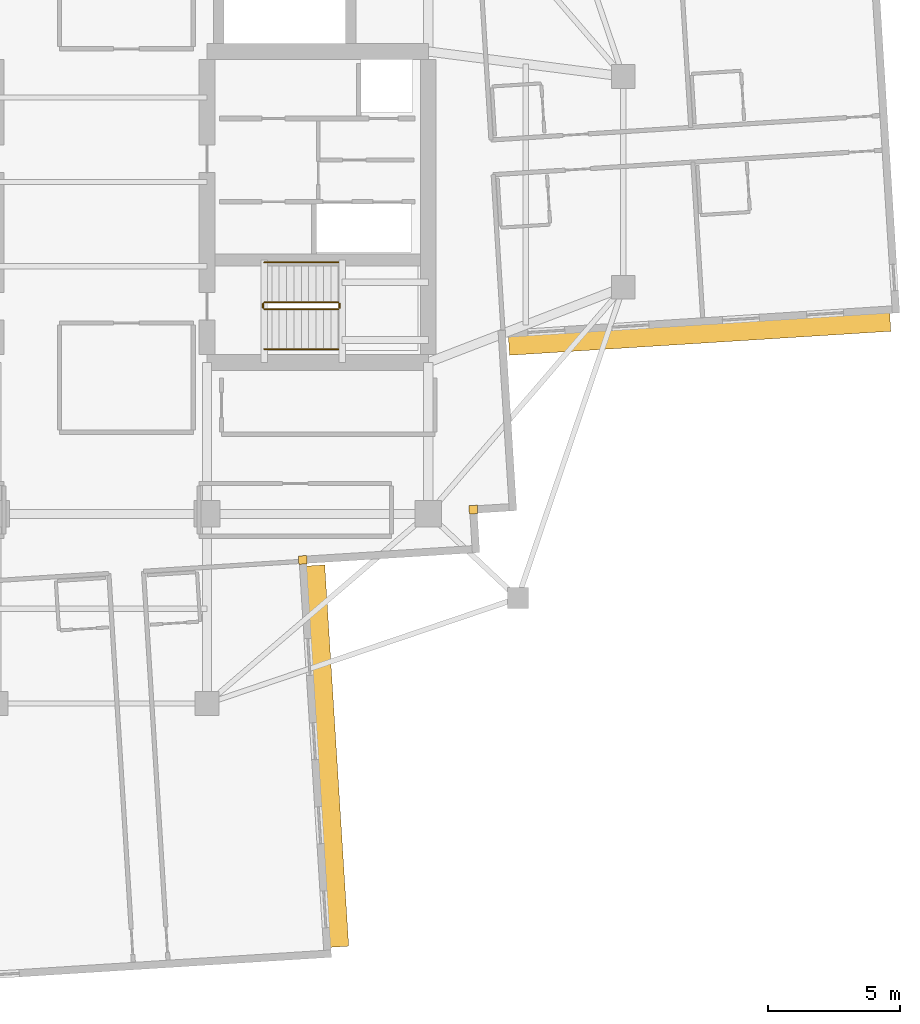
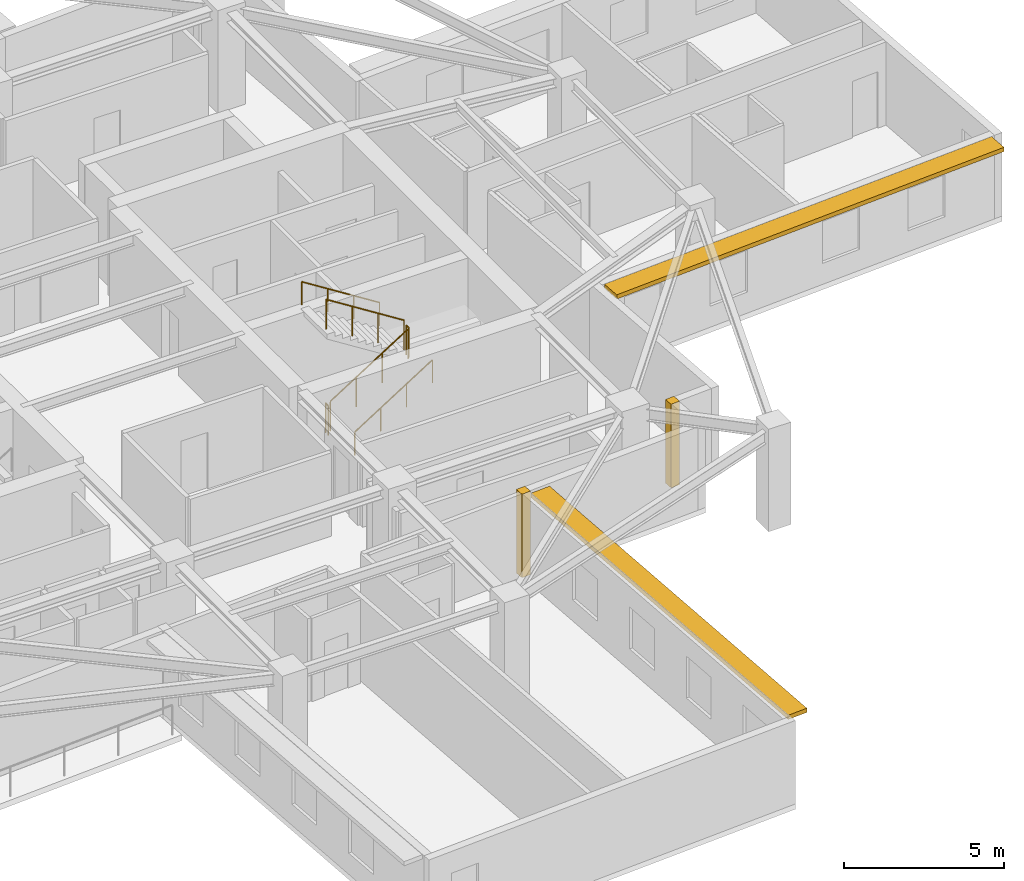
# One storey, part 10 of 12: 6 railings, 2 coverings, 2 shading devices.
"""IFC4 building model written with IfcOpenShell, lengths in metres."""

import ifcopenshell
import ifcopenshell.guid

model = None  # the IFC model being written
_history = None  # IfcOwnerHistory: only IFC2X3 demands one
_inside = {}  # id of a spatial element -> (the spatial element, [elements in it])
_under = {}  # id of a project, library or spatial element -> (it, [spatial elements below it])
_declared = {}  # id of a project -> (the project, [libraries it declares])
_typed = {}  # id of a type object -> (the type object, [elements of that type])
_made_of = {}  # id of a material, layer set ... -> (it, [elements and type objects made of it])


def new_model(schema):
    """Start an empty IFC model of exactly this schema.

    Asked for "IFC4X3", IfcOpenShell would pick the latest addendum, in which some entities
    have other attributes; the version numbers below select the first issue.
    IFC2X3 requires an IfcOwnerHistory on every rooted entity: one is made here for all.
    """
    global model, _history
    if schema == "IFC4X3":
        model = ifcopenshell.file(schema_version=(4, 3, 0, 0))
    else:
        model = ifcopenshell.file(schema=schema)
    _inside.clear()
    _under.clear()
    _declared.clear()
    _typed.clear()
    _made_of.clear()
    _history = None
    if model.schema == "IFC2X3":
        org = make("IfcOrganization", Name="unknown")
        user = make(
            "IfcPersonAndOrganization",
            ThePerson=make("IfcPerson", FamilyName="unknown"),
            TheOrganization=org,
        )
        app = make(
            "IfcApplication",
            ApplicationDeveloper=org,
            Version="unknown",
            ApplicationFullName="unknown",
            ApplicationIdentifier="unknown",
        )
        _history = make(
            "IfcOwnerHistory",
            OwningUser=user,
            OwningApplication=app,
            ChangeAction="ADDED",
            CreationDate=0,
        )
    return model


def make(cls, **values):
    """One entity of the class cls with the attributes given. An attribute that is None is left unset."""
    return model.create_entity(
        cls, **{name: value for name, value in values.items() if value is not None}
    )


def rooted(cls, **values):
    """An entity with a GlobalId (a new one), such as an element, a storey or a relation."""
    return make(cls, GlobalId=ifcopenshell.guid.new(), OwnerHistory=_history, **values)


def si_unit(unit_type, name, prefix=None):
    """IfcSIUnit, for example si_unit("LENGTHUNIT", "METRE", prefix="MILLI")."""
    return make("IfcSIUnit", UnitType=unit_type, Prefix=prefix, Name=name)


def assignment(units):
    """IfcUnitAssignment: the units of a project."""
    return None if units is None else make("IfcUnitAssignment", Units=units)


def point(xyz):
    """IfcCartesianPoint."""
    return None if xyz is None else make("IfcCartesianPoint", Coordinates=xyz)


def direction(xyz):
    """IfcDirection."""
    return None if xyz is None else make("IfcDirection", DirectionRatios=xyz)


def frame(location, z_axis=None, x_axis=None):
    """IfcAxis2Placement3D, a coordinate frame: its origin and axes. An axis left out is left unset."""
    return make(
        "IfcAxis2Placement3D",
        Location=point(location),
        Axis=direction(z_axis),
        RefDirection=direction(x_axis),
    )


def frame_2d(location, x_axis=None):
    """IfcAxis2Placement2D, a coordinate frame in the plane: its origin and x axis."""
    return make(
        "IfcAxis2Placement2D", Location=point(location), RefDirection=direction(x_axis)
    )


def origin():
    """The frame at (0, 0, 0) with its axes left unset."""
    return frame((0.0, 0.0, 0.0))


def origin_2d():
    """The frame at (0, 0) in the plane with its x axis left unset."""
    return frame_2d((0.0, 0.0))


def place(relative_to, where):
    """IfcLocalPlacement: puts the frame where relative to a parent placement (None: the world)."""
    return make(
        "IfcLocalPlacement", PlacementRelTo=relative_to, RelativePlacement=where
    )


def context(
    kind, dimensions, precision=None, world=None, true_north=None, identifier=None
):
    """IfcGeometricRepresentationContext, for example the 3D "Model" context."""
    return make(
        "IfcGeometricRepresentationContext",
        ContextIdentifier=identifier,
        ContextType=kind,
        CoordinateSpaceDimension=dimensions,
        Precision=precision,
        WorldCoordinateSystem=world,
        TrueNorth=true_north,
    )


def subcontext(parent, identifier, kind, view, scale=None):
    """IfcGeometricRepresentationSubContext, for example "Body" below "Model"."""
    return make(
        "IfcGeometricRepresentationSubContext",
        ContextIdentifier=identifier,
        ContextType=kind,
        ParentContext=parent,
        TargetScale=scale,
        TargetView=view,
    )


def project(units=None, contexts=None):
    """IfcProject with its units and contexts."""
    return rooted(
        "IfcProject",
        Name="project",
        RepresentationContexts=contexts,
        UnitsInContext=assignment(units),
    )


def spatial(cls, under=None, at=None, **own):
    """A site, building, storey or space (cls), placed at a placement, below another one or the project."""
    s = rooted(cls, ObjectPlacement=at, **own)
    if under is not None:
        _under.setdefault(under.id(), (under, []))[1].append(s)
    return s


def profile(cls, at=None, kind="AREA", **sizes):
    """A parametric profile (cls). Its sizes go by their IFC names, for example OverallWidth=200.0."""
    return make(cls, ProfileType=kind, Position=at, **sizes)


def rectangle(**sizes):
    """IfcRectangleProfileDef."""
    return profile("IfcRectangleProfileDef", **sizes)


def circle(**sizes):
    """IfcCircleProfileDef."""
    return profile("IfcCircleProfileDef", **sizes)


def extrude(swept, where, along, depth):
    """IfcExtrudedAreaSolid: the profile swept, set in the frame where, extruded along a direction by depth."""
    return make(
        "IfcExtrudedAreaSolid",
        SweptArea=swept,
        Position=where,
        ExtrudedDirection=direction(along),
        Depth=depth,
    )


def shape(context_of_items, identifier, shape_type, items):
    """IfcShapeRepresentation: the items that make up one representation, for example the "Body"."""
    return make(
        "IfcShapeRepresentation",
        ContextOfItems=context_of_items,
        RepresentationIdentifier=identifier,
        RepresentationType=shape_type,
        Items=items,
    )


def material(Name=None, Category=None):
    """IfcMaterial."""
    return make("IfcMaterial", Name=Name, Category=Category)


def layer(
    of_material, thickness, ventilated=None, Name=None, Category=None, Priority=None
):
    """IfcMaterialLayer: one layer of a wall or slab, of a material (None: an air gap)."""
    return make(
        "IfcMaterialLayer",
        Material=of_material,
        LayerThickness=thickness,
        IsVentilated=ventilated,
        Name=Name,
        Category=Category,
        Priority=Priority,
    )


def layer_set(layers, Name=None):
    """IfcMaterialLayerSet."""
    return make("IfcMaterialLayerSet", MaterialLayers=layers, LayerSetName=Name)


def made_of(thing, what):
    """Note that an element or type object is made of a material, layer set ...; save() writes the relation."""
    if what is not None:
        _made_of.setdefault(what.id(), (what, []))[1].append(thing)
    return thing


def type_object(cls, material=None, **own):
    """A type object (cls), such as IfcWallType, which elements share."""
    return made_of(rooted(cls, **own), material)


def element(
    cls,
    number,
    at=None,
    inside=None,
    cuts=None,
    type_object=None,
    material=None,
    context=None,
    identifier="Body",
    shape_type=None,
    held_by="IfcProductDefinitionShape",
    body=None,
    shapes=None,
    **own,
):
    """One element of the class cls, such as IfcWall. Its Tag is "e" and its number.

    at: its placement. inside: the storey or other place that contains it. cuts: it is an
    opening in that element (IfcRelVoidsElement). A single representation is given by context,
    identifier, shape_type and body (its items); several are given by shapes. held_by: the class
    of the entity that holds the representations. save() writes the other relations.
    """
    e = rooted(cls, Tag="e%d" % number, ObjectPlacement=at, **own)
    if body is not None:
        shapes = [shape(context, identifier, shape_type, body)]
    if shapes is not None:
        e.Representation = make(held_by, Representations=shapes)
    if inside is not None:
        _inside.setdefault(inside.id(), (inside, []))[1].append(e)
    if cuts is not None:
        rooted(
            "IfcRelVoidsElement", RelatingBuildingElement=cuts, RelatedOpeningElement=e
        )
    if type_object is not None:
        _typed.setdefault(type_object.id(), (type_object, []))[1].append(e)
    return made_of(e, material)


def aggregate(whole, parts):
    """IfcRelAggregates: a whole, such as a stair, and the parts it consists of."""
    return rooted("IfcRelAggregates", RelatingObject=whole, RelatedObjects=parts)


def save(model, path):
    """Write the relations noted so far, then the file.

    IfcRelAggregates (storeys below a building ...), IfcRelContainedInSpatialStructure (elements
    in a storey), IfcRelDefinesByType, IfcRelAssociatesMaterial and IfcRelDeclares: one each for
    every whole, place, type object, material and project.
    """
    for whole, parts in _under.values():
        aggregate(whole, parts)
    for where, things in _inside.values():
        rooted(
            "IfcRelContainedInSpatialStructure",
            RelatedElements=things,
            RelatingStructure=where,
        )
    for kind, things in _typed.values():
        rooted("IfcRelDefinesByType", RelatedObjects=things, RelatingType=kind)
    for what, things in _made_of.values():
        rooted("IfcRelAssociatesMaterial", RelatedObjects=things, RelatingMaterial=what)
    for by, libraries in _declared.values():
        rooted("IfcRelDeclares", RelatingContext=by, RelatedDefinitions=libraries)
    model.write(path)


model = new_model("IFC4")

# Units and contexts
model_context = context("Model", 3, precision=1e-05, world=origin(), true_north=direction((0.0, 1.0)))
body_context = subcontext(model_context, "Body", "Model", "MODEL_VIEW")
ifc_project = project(units=[si_unit("LENGTHUNIT", "METRE"), si_unit("AREAUNIT", "SQUARE_METRE"), si_unit("VOLUMEUNIT", "CUBIC_METRE"), si_unit("PLANEANGLEUNIT", "RADIAN"), si_unit("MASSUNIT", "GRAM", prefix="KILO")], contexts=[model_context])

# Site, building, storey
site_placement = place(None, origin())
site = spatial("IfcSite", under=ifc_project, at=site_placement, CompositionType="ELEMENT")
building_placement = place(site_placement, origin())
building = spatial("IfcBuilding", under=site, at=building_placement, Name="Qingluan Cross Belvedere", CompositionType="ELEMENT")
storey_placement = place(building_placement, frame((0.0, 0.0, 209.10009765625)))
storey = spatial("IfcBuildingStorey", under=building, at=storey_placement, Name="L52", CompositionType="ELEMENT", Elevation=209.10009765625)

# Coverings
ifc_material_1 = material(Name="Precast concrete C45", Category="concrete")
ifc_layer_1 = layer(ifc_material_1, 0.1201171875, Name="ConcreteSpandrelCladding_120")
ifc_layer_set_1 = layer_set([ifc_layer_1], Name="Precast concrete C45")
covering_type = type_object("IfcCoveringType", Name="ConcreteSpandrelCladding_120", PredefinedType="CLADDING", material=ifc_layer_set_1)
for number, where, z_axis, x_axis, name in (
    (1, (14.10888671875, -12.438720703125, 0.0), (0.0, 0.0, 1.0), (0.998026728428, 0.062790519529, 0.0), "Corner closure L52-SE1"),
    (2, (7.635986328125, -14.348876953125, 0.0), (0.0, 0.0, 1.0), (0.998026728428, 0.062790519529, 0.0), "Corner closure L52-SE2"),
):
    element("IfcCovering", number, at=place(storey_placement, frame(where, z_axis=z_axis, x_axis=x_axis)), inside=storey, type_object=covering_type, Name=name, PredefinedType="CLADDING", context=body_context, shape_type="SweptSolid", body=[
        extrude(rectangle(XDim=0.320068359375, YDim=0.320068359375, at=origin_2d()), origin(), (0.0, 0.0, 1.0), 3.179931640625),
    ])

# Shading devices
ifc_material_2 = material(Name="Precast concrete C45", Category="concrete")
ifc_layer_2 = layer(ifc_material_2, 0.139892578125, Name="ConcreteSunshadeBand_700")
ifc_layer_set_2 = layer_set([ifc_layer_2], Name="Precast concrete C45")
shading_device_type = type_object("IfcShadingDeviceType", Name="ConcreteSunshadeBand_700", PredefinedType="USERDEFINED", material=ifc_layer_set_2)
for number, where, z_axis, x_axis, name in (
    (3, (22.697509765625, -5.776123046875, 3.0), (0.0, 0.0, 1.0), (0.998026818306, 0.062789090939, 0.0), "Concrete SUNSHADE L52-EA"),
    (4, (8.575439453125, -21.794677734375, 3.0), (0.0, 0.0, 1.0), (-0.062795866837, 0.99802639199, 0.0), "Concrete SUNSHADE L52-SB"),
):
    element("IfcShadingDevice", number, at=place(storey_placement, frame(where, z_axis=z_axis, x_axis=x_axis)), inside=storey, type_object=shading_device_type, Name=name, ObjectType="SUNSHADE", PredefinedType="USERDEFINED", context=body_context, shape_type="SweptSolid", body=[
        extrude(rectangle(XDim=14.5, YDim=0.699951171875, at=origin_2d()), origin(), (0.0, 0.0, 1.0), 0.159912109375),
    ])

# Railings
ifc_material_3 = material(Name="Brushed stainless steel tubular handrail", Category="steel")
railing_type_1 = type_object("IfcRailingType", Name="StairPitchHandrail_900", PredefinedType="HANDRAIL", material=ifc_material_3)
railing_1_placement = place(storey_placement, frame((6.179931640625, -6.35009765625, 0.17724609375)))
element("IfcRailing", 5, at=railing_1_placement, inside=storey, type_object=railing_type_1, Name="L52 ST2 stair handrail 1", PredefinedType="HANDRAIL", context=body_context, shape_type="SweptSolid", body=[
    extrude(circle(Radius=0.02392578125, at=origin_2d()), frame((0.0, 0.0, 0.8759765625), z_axis=(0.844908973607, 0.0, 0.534910110503), x_axis=(0.0, 1.0, 0.0)), (0.0, 0.0, 1.0), 3.31396484375),
    extrude(circle(Radius=0.02099609375, at=origin_2d()), origin(), (0.0, 0.0, 1.0), 0.851806640625),
    extrude(circle(Radius=0.02099609375, at=origin_2d()), frame((0.933349609375, 0.0, 0.5908203125)), (0.0, 0.0, 1.0), 0.851806640625),
    extrude(circle(Radius=0.02099609375, at=origin_2d()), frame((1.86669921875, 0.0, 1.181884765625)), (0.0, 0.0, 1.0), 0.851806640625),
    extrude(circle(Radius=0.02099609375, at=origin_2d()), frame((2.800048828125, 0.0, 1.772705078125)), (0.0, 0.0, 1.0), 0.851806640625),
])
railing_2_placement = place(storey_placement, frame((8.97998046875, -3.050048828125, 2.127197265625)))
element("IfcRailing", 6, at=railing_2_placement, inside=storey, type_object=railing_type_1, Name="L52 ST2 stair handrail 2", PredefinedType="HANDRAIL", context=body_context, shape_type="SweptSolid", body=[
    extrude(circle(Radius=0.02392578125, at=origin_2d()), frame((0.0, 0.0, 0.8759765625), z_axis=(-0.844908973607, 0.0, 0.534910110503), x_axis=(0.0, -1.0, 0.0)), (0.0, 0.0, 1.0), 3.31396484375),
    extrude(circle(Radius=0.02099609375, at=origin_2d()), origin(), (0.0, 0.0, 1.0), 0.851806640625),
    extrude(circle(Radius=0.02099609375, at=origin_2d()), frame((-0.933349609375, 0.0, 0.5908203125)), (0.0, 0.0, 1.0), 0.851806640625),
    extrude(circle(Radius=0.02099609375, at=origin_2d()), frame((-1.86669921875, 0.0, 1.181884765625)), (0.0, 0.0, 1.0), 0.851806640625),
    extrude(circle(Radius=0.02099609375, at=origin_2d()), frame((-2.800048828125, 0.0, 1.772705078125)), (0.0, 0.0, 1.0), 0.851806640625),
])
ifc_material_4 = material(Name="Painted steel stair well guard", Category="steel")
railing_type_2 = type_object("IfcRailingType", Name="StairWellGuard_1150", PredefinedType="BALUSTRADE", material=ifc_material_4)
railing_3_placement = place(storey_placement, frame((6.179931640625, -4.830078125, 0.17724609375)))
element("IfcRailing", 7, at=railing_3_placement, inside=storey, type_object=railing_type_2, Name="L52 ST2 stair guard 1", PredefinedType="BALUSTRADE", context=body_context, shape_type="SweptSolid", body=[
    extrude(circle(Radius=0.02392578125, at=origin_2d()), frame((0.0, 0.0, 1.1259765625), z_axis=(0.844908973607, 0.0, 0.534910110503), x_axis=(0.0, 1.0, 0.0)), (0.0, 0.0, 1.0), 3.31396484375),
    extrude(circle(Radius=0.02099609375, at=origin_2d()), origin(), (0.0, 0.0, 1.0), 1.101806640625),
    extrude(circle(Radius=0.02099609375, at=origin_2d()), frame((0.933349609375, 0.0, 0.5908203125)), (0.0, 0.0, 1.0), 1.101806640625),
    extrude(circle(Radius=0.02099609375, at=origin_2d()), frame((1.86669921875, 0.0, 1.181884765625)), (0.0, 0.0, 1.0), 1.101806640625),
    extrude(circle(Radius=0.02099609375, at=origin_2d()), frame((2.800048828125, 0.0, 1.772705078125)), (0.0, 0.0, 1.0), 1.101806640625),
])
railing_4_placement = place(storey_placement, frame((9.030029296875, -4.780029296875, 1.949951171875)))
element("IfcRailing", 8, at=railing_4_placement, inside=storey, type_object=railing_type_2, Name="L52 ST2 stair guard 2", PredefinedType="BALUSTRADE", context=body_context, shape_type="SweptSolid", body=[
    extrude(circle(Radius=0.02392578125, at=origin_2d()), frame((0.0, 0.0, 1.1259765625), z_axis=(0.0, 1.0, 0.0), x_axis=(-1.0, 0.0, 0.0)), (0.0, 0.0, 1.0), 0.159912109375),
    extrude(circle(Radius=0.02099609375, at=origin_2d()), origin(), (0.0, 0.0, 1.0), 1.101806640625),
    extrude(circle(Radius=0.02099609375, at=origin_2d()), frame((0.0, 0.159912109375, 0.0)), (0.0, 0.0, 1.0), 1.101806640625),
])
railing_5_placement = place(storey_placement, frame((8.97998046875, -4.570068359375, 2.127197265625)))
element("IfcRailing", 9, at=railing_5_placement, inside=storey, type_object=railing_type_2, Name="L52 ST2 stair guard 3", PredefinedType="BALUSTRADE", context=body_context, shape_type="SweptSolid", body=[
    extrude(circle(Radius=0.02392578125, at=origin_2d()), frame((0.0, 0.0, 1.1259765625), z_axis=(-0.844908973607, 0.0, 0.534910110503), x_axis=(0.0, -1.0, 0.0)), (0.0, 0.0, 1.0), 3.31396484375),
    extrude(circle(Radius=0.02099609375, at=origin_2d()), origin(), (0.0, 0.0, 1.0), 1.101806640625),
    extrude(circle(Radius=0.02099609375, at=origin_2d()), frame((-0.933349609375, 0.0, 0.5908203125)), (0.0, 0.0, 1.0), 1.101806640625),
    extrude(circle(Radius=0.02099609375, at=origin_2d()), frame((-1.86669921875, 0.0, 1.181884765625)), (0.0, 0.0, 1.0), 1.101806640625),
    extrude(circle(Radius=0.02099609375, at=origin_2d()), frame((-2.800048828125, 0.0, 1.772705078125)), (0.0, 0.0, 1.0), 1.101806640625),
])
railing_6_placement = place(storey_placement, frame((6.1298828125, -4.780029296875, 0.0)))
element("IfcRailing", 10, at=railing_6_placement, inside=storey, type_object=railing_type_2, Name="L52 ST2 stair guard 4", PredefinedType="BALUSTRADE", context=body_context, shape_type="SweptSolid", body=[
    extrude(circle(Radius=0.02392578125, at=origin_2d()), frame((0.0, 0.0, 1.1259765625), z_axis=(0.0, 1.0, 0.0), x_axis=(-1.0, 0.0, 0.0)), (0.0, 0.0, 1.0), 0.159912109375),
    extrude(circle(Radius=0.02099609375, at=origin_2d()), origin(), (0.0, 0.0, 1.0), 1.101806640625),
    extrude(circle(Radius=0.02099609375, at=origin_2d()), frame((0.0, 0.159912109375, 0.0)), (0.0, 0.0, 1.0), 1.101806640625),
])

save(model, "model.ifc")
